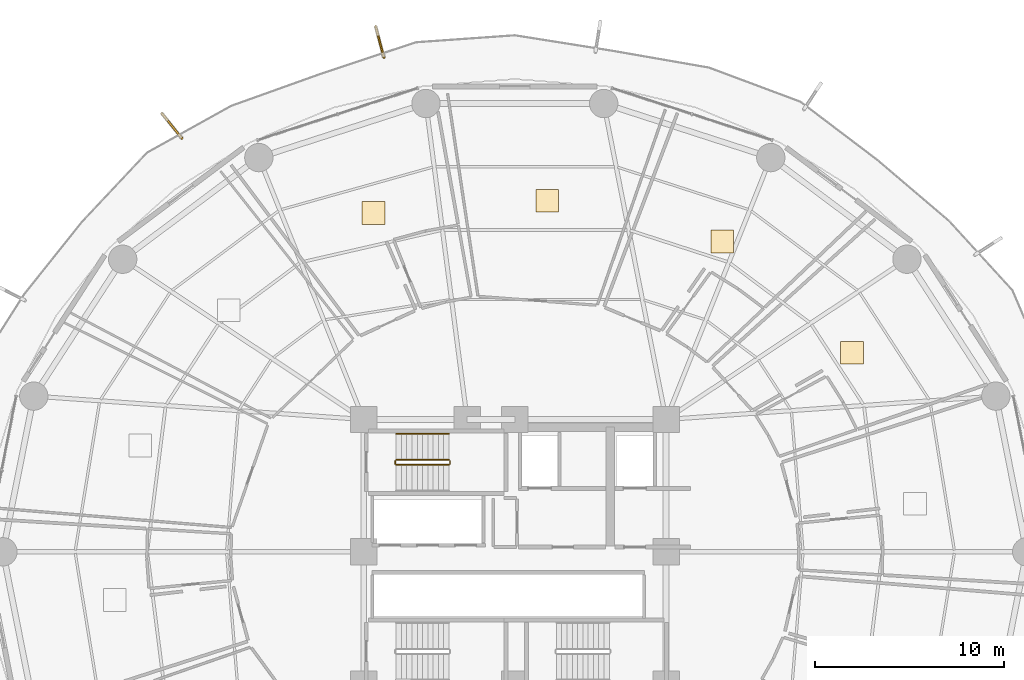
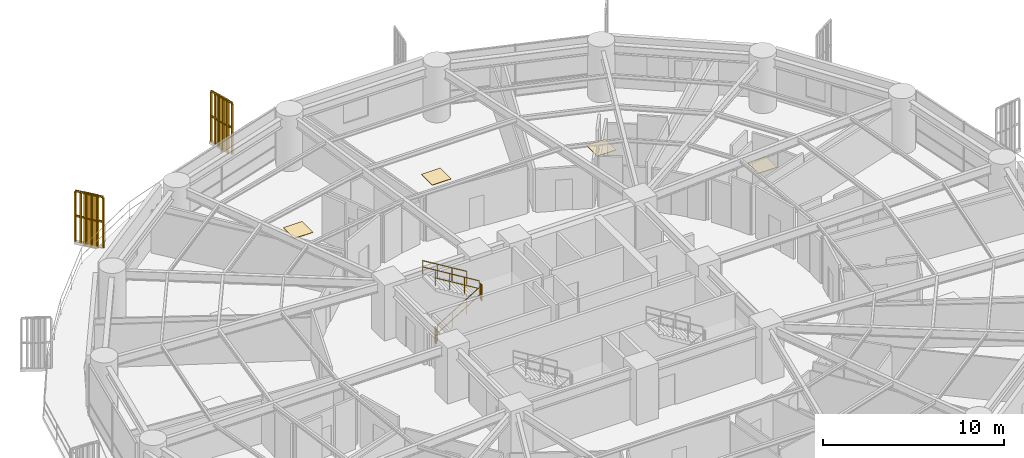
# One storey, part 31 of 32: 7 railings, 4 coverings, 2 shading devices.
"""IFC4 building model written with IfcOpenShell, lengths in metres."""

from ifc_helpers import new_model, si_unit, direction, frame, origin, origin_2d, place, context, subcontext, project, spatial, polyline, rectangle, outline, extrude, source, transform, mapped, material, layer, layer_set, type_object, element, save


model = new_model("IFC4")

# Units and contexts
model_context = context("Model", 3, precision=1e-05, world=origin(), true_north=direction((0.0, 1.0)))
body_context = subcontext(model_context, "Body", "Model", "MODEL_VIEW")
ifc_project = project(units=[si_unit("LENGTHUNIT", "METRE"), si_unit("AREAUNIT", "SQUARE_METRE"), si_unit("VOLUMEUNIT", "CUBIC_METRE"), si_unit("PLANEANGLEUNIT", "RADIAN"), si_unit("MASSUNIT", "GRAM", prefix="KILO")], contexts=[model_context])

# Site, building, storey
site_placement = place(None, origin())
site = spatial("IfcSite", under=ifc_project, at=site_placement, CompositionType="ELEMENT")
building_placement = place(site_placement, origin())
building = spatial("IfcBuilding", under=site, at=building_placement, Name="Kelanora Arch Commons", CompositionType="ELEMENT")
storey_placement = place(building_placement, frame((0.0, 0.0, 60.0)))
storey = spatial("IfcBuildingStorey", under=building, at=storey_placement, Name="L15", CompositionType="ELEMENT", Elevation=60.0)

# Railings
ifc_material_1 = material(Name="Anodised bronze vertical shading fin rib assembly")
railing_type_1 = type_object("IfcRailingType", Name="RAIL-FIN-BRZ", PredefinedType="BALUSTRADE", material=ifc_material_1)
railing_1_placement = place(storey_placement, frame((67.069580078125, 84.16162109375, -0.02001953125)))
element("IfcRailing", 1, at=railing_1_placement, inside=storey, type_object=railing_type_1, Name="Sweeping Bronze Vertical Fin Blade L15-03", PredefinedType="BALUSTRADE", context=body_context, shape_type="SweptSolid", body=[
    extrude(outline(polyline([(0.06982421875, 0.0), (0.034912109375, 0.060546875), (-0.034912109375, 0.060546875), (-0.06982421875, 0.0), (-0.034912109375, -0.060546875), (0.034912109375, -0.060546875), (0.06982421875, 0.0)])), frame((0.0, 0.0, 3.419921875), z_axis=(-0.255945270808, 0.966691273547, 0.0), x_axis=(-0.966691273547, -0.255945270808, 0.0)), (0.0, 0.0, 1.0), 1.655029296875),
    extrude(outline(polyline([(0.06982421875, 0.0), (0.034912109375, 0.060546875), (-0.034912109375, 0.060546875), (-0.06982421875, 0.0), (-0.034912109375, -0.060546875), (0.034912109375, -0.060546875), (0.06982421875, 0.0)])), frame((0.0, 0.0, 1.7451171875), z_axis=(-0.255945270808, 0.966691273547, 0.0), x_axis=(-0.966691273547, -0.255945270808, 0.0)), (0.0, 0.0, 1.0), 1.655029296875),
    extrude(outline(polyline([(0.080078125, 0.0), (0.0400390625, 0.0693359375), (-0.0400390625, 0.0693359375), (-0.080078125, 0.0), (-0.0400390625, -0.0693359375), (0.0400390625, -0.0693359375), (0.080078125, 0.0)])), origin(), (0.0, 0.0, 1.0), 3.35009765625),
    extrude(outline(polyline([(0.080078125, 0.0), (0.0400390625, 0.0693359375), (-0.0400390625, 0.0693359375), (-0.080078125, 0.0), (-0.0400390625, -0.0693359375), (0.0400390625, -0.0693359375), (0.080078125, 0.0)])), frame((-0.084716796875, 0.320068359375, 0.0)), (0.0, 0.0, 1.0), 3.35009765625),
    extrude(outline(polyline([(0.080078125, 0.0), (0.0400390625, 0.0693359375), (-0.0400390625, 0.0693359375), (-0.080078125, 0.0), (-0.0400390625, -0.0693359375), (0.0400390625, -0.0693359375), (0.080078125, 0.0)])), frame((-0.16943359375, 0.639892578125, 0.0)), (0.0, 0.0, 1.0), 3.35009765625),
    extrude(outline(polyline([(0.080078125, 0.0), (0.0400390625, 0.0693359375), (-0.0400390625, 0.0693359375), (-0.080078125, 0.0), (-0.0400390625, -0.0693359375), (0.0400390625, -0.0693359375), (0.080078125, 0.0)])), frame((-0.254150390625, 0.9599609375, 0.0)), (0.0, 0.0, 1.0), 3.35009765625),
    extrude(outline(polyline([(0.080078125, 0.0), (0.0400390625, 0.0693359375), (-0.0400390625, 0.0693359375), (-0.080078125, 0.0), (-0.0400390625, -0.0693359375), (0.0400390625, -0.0693359375), (0.080078125, 0.0)])), frame((-0.3388671875, 1.27978515625, 0.0)), (0.0, 0.0, 1.0), 3.35009765625),
    extrude(outline(polyline([(0.080078125, 0.0), (0.0400390625, 0.0693359375), (-0.0400390625, 0.0693359375), (-0.080078125, 0.0), (-0.0400390625, -0.0693359375), (0.0400390625, -0.0693359375), (0.080078125, 0.0)])), frame((-0.423583984375, 1.599853515625, 0.0)), (0.0, 0.0, 1.0), 3.35009765625),
])
railing_2_placement = place(storey_placement, frame((56.378173828125, 79.88818359375, -0.02001953125)))
element("IfcRailing", 2, at=railing_2_placement, inside=storey, type_object=railing_type_1, Name="Sweeping Bronze Vertical Fin Blade L15-04", PredefinedType="BALUSTRADE", context=body_context, shape_type="SweptSolid", body=[
    extrude(outline(polyline([(0.06982421875, 0.0), (0.034912109375, 0.060546875), (-0.034912109375, 0.060546875), (-0.06982421875, 0.0), (-0.034912109375, -0.060546875), (0.034912109375, -0.060546875), (0.06982421875, 0.0)])), frame((0.0, 0.0, 3.419921875), z_axis=(-0.627120760116, 0.778922045028, 0.0), x_axis=(-0.778922045028, -0.627120760116, 0.0)), (0.0, 0.0, 1.0), 1.655029296875),
    extrude(outline(polyline([(0.06982421875, 0.0), (0.034912109375, 0.060546875), (-0.034912109375, 0.060546875), (-0.06982421875, 0.0), (-0.034912109375, -0.060546875), (0.034912109375, -0.060546875), (0.06982421875, 0.0)])), frame((0.0, 0.0, 1.7451171875), z_axis=(-0.627120760116, 0.778922045028, 0.0), x_axis=(-0.778922045028, -0.627120760116, 0.0)), (0.0, 0.0, 1.0), 1.655029296875),
    extrude(outline(polyline([(0.080078125, 0.0), (0.0400390625, 0.0693359375), (-0.0400390625, 0.0693359375), (-0.080078125, 0.0), (-0.0400390625, -0.0693359375), (0.0400390625, -0.0693359375), (0.080078125, 0.0)])), origin(), (0.0, 0.0, 1.0), 3.35009765625),
    extrude(outline(polyline([(0.080078125, 0.0), (0.0400390625, 0.0693359375), (-0.0400390625, 0.0693359375), (-0.080078125, 0.0), (-0.0400390625, -0.0693359375), (0.0400390625, -0.0693359375), (0.080078125, 0.0)])), frame((-0.20751953125, 0.2578125, 0.0)), (0.0, 0.0, 1.0), 3.35009765625),
    extrude(outline(polyline([(0.080078125, 0.0), (0.0400390625, 0.0693359375), (-0.0400390625, 0.0693359375), (-0.080078125, 0.0), (-0.0400390625, -0.0693359375), (0.0400390625, -0.0693359375), (0.080078125, 0.0)])), frame((-0.4150390625, 0.515625, 0.0)), (0.0, 0.0, 1.0), 3.35009765625),
    extrude(outline(polyline([(0.080078125, 0.0), (0.0400390625, 0.0693359375), (-0.0400390625, 0.0693359375), (-0.080078125, 0.0), (-0.0400390625, -0.0693359375), (0.0400390625, -0.0693359375), (0.080078125, 0.0)])), frame((-0.622802734375, 0.7734375, 0.0)), (0.0, 0.0, 1.0), 3.35009765625),
    extrude(outline(polyline([(0.080078125, 0.0), (0.0400390625, 0.0693359375), (-0.0400390625, 0.0693359375), (-0.080078125, 0.0), (-0.0400390625, -0.0693359375), (0.0400390625, -0.0693359375), (0.080078125, 0.0)])), frame((-0.830322265625, 1.03125, 0.0)), (0.0, 0.0, 1.0), 3.35009765625),
    extrude(outline(polyline([(0.080078125, 0.0), (0.0400390625, 0.0693359375), (-0.0400390625, 0.0693359375), (-0.080078125, 0.0), (-0.0400390625, -0.0693359375), (0.0400390625, -0.0693359375), (0.080078125, 0.0)])), frame((-1.037841796875, 1.2890625, 0.0)), (0.0, 0.0, 1.0), 3.35009765625),
])
ifc_material_2 = material(Name="Painted steel stair well guard", Category="steel")
railing_type_2 = type_object("IfcRailingType", Name="RAIL-STAIR-GRD", PredefinedType="GUARDRAIL", material=ifc_material_2)
railing_3_placement = place(storey_placement, frame((67.719970703125, 62.610107421875, 0.17041015625)))
element("IfcRailing", 3, at=railing_3_placement, inside=storey, type_object=railing_type_2, Name="L15 ST-T1 stair guard 1", PredefinedType="GUARDRAIL", context=body_context, shape_type="SweptSolid", body=[
    extrude(outline(polyline([(0.02392578125, 0.0), (0.011962890625, 0.020751953125), (-0.011962890625, 0.020751953125), (-0.02392578125, 0.0), (-0.011962890625, -0.020751953125), (0.011962890625, -0.020751953125), (0.02392578125, 0.0)])), frame((0.0, 0.0, 1.076171875), z_axis=(0.854169791009, 0.0, 0.51999420009), x_axis=(0.0, 1.0, 0.0)), (0.0, 0.0, 1.0), 3.278076171875),
    extrude(outline(polyline([(0.02392578125, 0.0), (0.011962890625, 0.020751953125), (-0.011962890625, 0.020751953125), (-0.02392578125, 0.0), (-0.011962890625, -0.020751953125), (0.011962890625, -0.020751953125), (0.02392578125, 0.0)])), frame((0.0, 0.0, 0.550048828125), z_axis=(0.854169791009, 0.0, 0.51999420009), x_axis=(0.0, 1.0, 0.0)), (0.0, 0.0, 1.0), 3.278076171875),
    extrude(outline(polyline([(0.02099609375, 0.0), (0.010498046875, 0.01806640625), (-0.010498046875, 0.01806640625), (-0.02099609375, 0.0), (-0.010498046875, -0.01806640625), (0.010498046875, -0.01806640625), (0.02099609375, 0.0)])), origin(), (0.0, 0.0, 1.0), 1.052001953125),
    extrude(outline(polyline([(0.02099609375, 0.0), (0.010498046875, 0.01806640625), (-0.010498046875, 0.01806640625), (-0.02099609375, 0.0), (-0.010498046875, -0.01806640625), (0.010498046875, -0.01806640625), (0.02099609375, 0.0)])), frame((0.933349609375, 0.0, 0.568115234375)), (0.0, 0.0, 1.0), 1.052001953125),
    extrude(outline(polyline([(0.02099609375, 0.0), (0.010498046875, 0.01806640625), (-0.010498046875, 0.01806640625), (-0.02099609375, 0.0), (-0.010498046875, -0.01806640625), (0.010498046875, -0.01806640625), (0.02099609375, 0.0)])), frame((1.86669921875, 0.0, 1.136474609375)), (0.0, 0.0, 1.0), 1.052001953125),
    extrude(outline(polyline([(0.02099609375, 0.0), (0.010498046875, 0.01806640625), (-0.010498046875, 0.01806640625), (-0.02099609375, 0.0), (-0.010498046875, -0.01806640625), (0.010498046875, -0.01806640625), (0.02099609375, 0.0)])), frame((2.800048828125, 0.0, 1.70458984375)), (0.0, 0.0, 1.0), 1.052001953125),
])
railing_4_placement = place(storey_placement, frame((70.570068359375, 62.659912109375, 1.875)))
element("IfcRailing", 4, at=railing_4_placement, inside=storey, type_object=railing_type_2, Name="L15 ST-T1 stair guard 2", PredefinedType="GUARDRAIL", context=body_context, shape_type="SweptSolid", body=[
    extrude(outline(polyline([(0.02392578125, 0.0), (0.011962890625, 0.020751953125), (-0.011962890625, 0.020751953125), (-0.02392578125, 0.0), (-0.011962890625, -0.020751953125), (0.011962890625, -0.020751953125), (0.02392578125, 0.0)])), frame((0.0, 0.0, 1.076171875), z_axis=(0.0, 1.0, 0.0), x_axis=(-1.0, 0.0, 0.0)), (0.0, 0.0, 1.0), 0.150146484375),
    extrude(outline(polyline([(0.02392578125, 0.0), (0.011962890625, 0.020751953125), (-0.011962890625, 0.020751953125), (-0.02392578125, 0.0), (-0.011962890625, -0.020751953125), (0.011962890625, -0.020751953125), (0.02392578125, 0.0)])), frame((0.0, 0.0, 0.550048828125), z_axis=(0.0, 1.0, 0.0), x_axis=(-1.0, 0.0, 0.0)), (0.0, 0.0, 1.0), 0.150146484375),
    extrude(outline(polyline([(0.02099609375, 0.0), (0.010498046875, 0.01806640625), (-0.010498046875, 0.01806640625), (-0.02099609375, 0.0), (-0.010498046875, -0.01806640625), (0.010498046875, -0.01806640625), (0.02099609375, 0.0)])), origin(), (0.0, 0.0, 1.0), 1.052001953125),
    extrude(outline(polyline([(0.02099609375, 0.0), (0.010498046875, 0.01806640625), (-0.010498046875, 0.01806640625), (-0.02099609375, 0.0), (-0.010498046875, -0.01806640625), (0.010498046875, -0.01806640625), (0.02099609375, 0.0)])), frame((0.0, 0.150146484375, 0.0)), (0.0, 0.0, 1.0), 1.052001953125),
])
railing_5_placement = place(storey_placement, frame((70.52001953125, 62.860107421875, 2.04541015625)))
element("IfcRailing", 5, at=railing_5_placement, inside=storey, type_object=railing_type_2, Name="L15 ST-T1 stair guard 3", PredefinedType="GUARDRAIL", context=body_context, shape_type="SweptSolid", body=[
    extrude(outline(polyline([(0.02392578125, 0.0), (0.011962890625, 0.020751953125), (-0.011962890625, 0.020751953125), (-0.02392578125, 0.0), (-0.011962890625, -0.020751953125), (0.011962890625, -0.020751953125), (0.02392578125, 0.0)])), frame((0.0, 0.0, 1.076171875), z_axis=(-0.854169791009, 0.0, 0.51999420009), x_axis=(0.0, -1.0, 0.0)), (0.0, 0.0, 1.0), 3.278076171875),
    extrude(outline(polyline([(0.02392578125, 0.0), (0.011962890625, 0.020751953125), (-0.011962890625, 0.020751953125), (-0.02392578125, 0.0), (-0.011962890625, -0.020751953125), (0.011962890625, -0.020751953125), (0.02392578125, 0.0)])), frame((0.0, 0.0, 0.550048828125), z_axis=(-0.854169791009, 0.0, 0.51999420009), x_axis=(0.0, -1.0, 0.0)), (0.0, 0.0, 1.0), 3.278076171875),
    extrude(outline(polyline([(0.02099609375, 0.0), (0.010498046875, 0.01806640625), (-0.010498046875, 0.01806640625), (-0.02099609375, 0.0), (-0.010498046875, -0.01806640625), (0.010498046875, -0.01806640625), (0.02099609375, 0.0)])), origin(), (0.0, 0.0, 1.0), 1.052001953125),
    extrude(outline(polyline([(0.02099609375, 0.0), (0.010498046875, 0.01806640625), (-0.010498046875, 0.01806640625), (-0.02099609375, 0.0), (-0.010498046875, -0.01806640625), (0.010498046875, -0.01806640625), (0.02099609375, 0.0)])), frame((-0.933349609375, 0.0, 0.568115234375)), (0.0, 0.0, 1.0), 1.052001953125),
    extrude(outline(polyline([(0.02099609375, 0.0), (0.010498046875, 0.01806640625), (-0.010498046875, 0.01806640625), (-0.02099609375, 0.0), (-0.010498046875, -0.01806640625), (0.010498046875, -0.01806640625), (0.02099609375, 0.0)])), frame((-1.86669921875, 0.0, 1.136474609375)), (0.0, 0.0, 1.0), 1.052001953125),
    extrude(outline(polyline([(0.02099609375, 0.0), (0.010498046875, 0.01806640625), (-0.010498046875, 0.01806640625), (-0.02099609375, 0.0), (-0.010498046875, -0.01806640625), (0.010498046875, -0.01806640625), (0.02099609375, 0.0)])), frame((-2.800048828125, 0.0, 1.70458984375)), (0.0, 0.0, 1.0), 1.052001953125),
])
railing_6_placement = place(storey_placement, frame((67.669921875, 62.659912109375, 0.0)))
element("IfcRailing", 6, at=railing_6_placement, inside=storey, type_object=railing_type_2, Name="L15 ST-T1 stair guard 4", PredefinedType="GUARDRAIL", context=body_context, shape_type="SweptSolid", body=[
    extrude(outline(polyline([(0.02392578125, 0.0), (0.011962890625, 0.020751953125), (-0.011962890625, 0.020751953125), (-0.02392578125, 0.0), (-0.011962890625, -0.020751953125), (0.011962890625, -0.020751953125), (0.02392578125, 0.0)])), frame((0.0, 0.0, 1.076171875), z_axis=(0.0, 1.0, 0.0), x_axis=(-1.0, 0.0, 0.0)), (0.0, 0.0, 1.0), 0.150146484375),
    extrude(outline(polyline([(0.02392578125, 0.0), (0.011962890625, 0.020751953125), (-0.011962890625, 0.020751953125), (-0.02392578125, 0.0), (-0.011962890625, -0.020751953125), (0.011962890625, -0.020751953125), (0.02392578125, 0.0)])), frame((0.0, 0.0, 0.550048828125), z_axis=(0.0, 1.0, 0.0), x_axis=(-1.0, 0.0, 0.0)), (0.0, 0.0, 1.0), 0.150146484375),
    extrude(outline(polyline([(0.02099609375, 0.0), (0.010498046875, 0.01806640625), (-0.010498046875, 0.01806640625), (-0.02099609375, 0.0), (-0.010498046875, -0.01806640625), (0.010498046875, -0.01806640625), (0.02099609375, 0.0)])), origin(), (0.0, 0.0, 1.0), 1.052001953125),
    extrude(outline(polyline([(0.02099609375, 0.0), (0.010498046875, 0.01806640625), (-0.010498046875, 0.01806640625), (-0.02099609375, 0.0), (-0.010498046875, -0.01806640625), (0.010498046875, -0.01806640625), (0.02099609375, 0.0)])), frame((0.0, 0.150146484375, 0.0)), (0.0, 0.0, 1.0), 1.052001953125),
])
ifc_material_3 = material(Name="Brushed stainless steel stair handrail", Category="steel")
railing_type_3 = type_object("IfcRailingType", Name="RAIL-STAIR-HND", PredefinedType="HANDRAIL", material=ifc_material_3)
railing_7_placement = place(storey_placement, frame((70.52001953125, 64.239990234375, 2.04541015625)))
element("IfcRailing", 7, at=railing_7_placement, inside=storey, type_object=railing_type_3, Name="L15 ST-T1 stair handrail 2", PredefinedType="HANDRAIL", context=body_context, shape_type="SweptSolid", body=[
    extrude(outline(polyline([(0.02392578125, 0.0), (0.011962890625, 0.020751953125), (-0.011962890625, 0.020751953125), (-0.02392578125, 0.0), (-0.011962890625, -0.020751953125), (0.011962890625, -0.020751953125), (0.02392578125, 0.0)])), frame((0.0, 0.0, 0.8759765625), z_axis=(-0.854169791009, 0.0, 0.51999420009), x_axis=(0.0, -1.0, 0.0)), (0.0, 0.0, 1.0), 3.278076171875),
    extrude(outline(polyline([(0.02392578125, 0.0), (0.011962890625, 0.020751953125), (-0.011962890625, 0.020751953125), (-0.02392578125, 0.0), (-0.011962890625, -0.020751953125), (0.011962890625, -0.020751953125), (0.02392578125, 0.0)])), frame((0.0, 0.0, 0.449951171875), z_axis=(-0.854169791009, 0.0, 0.51999420009), x_axis=(0.0, -1.0, 0.0)), (0.0, 0.0, 1.0), 3.278076171875),
    extrude(outline(polyline([(0.02099609375, 0.0), (0.010498046875, 0.01806640625), (-0.010498046875, 0.01806640625), (-0.02099609375, 0.0), (-0.010498046875, -0.01806640625), (0.010498046875, -0.01806640625), (0.02099609375, 0.0)])), origin(), (0.0, 0.0, 1.0), 0.851806640625),
    extrude(outline(polyline([(0.02099609375, 0.0), (0.010498046875, 0.01806640625), (-0.010498046875, 0.01806640625), (-0.02099609375, 0.0), (-0.010498046875, -0.01806640625), (0.010498046875, -0.01806640625), (0.02099609375, 0.0)])), frame((-0.933349609375, 0.0, 0.568115234375)), (0.0, 0.0, 1.0), 0.851806640625),
    extrude(outline(polyline([(0.02099609375, 0.0), (0.010498046875, 0.01806640625), (-0.010498046875, 0.01806640625), (-0.02099609375, 0.0), (-0.010498046875, -0.01806640625), (0.010498046875, -0.01806640625), (0.02099609375, 0.0)])), frame((-1.86669921875, 0.0, 1.136474609375)), (0.0, 0.0, 1.0), 0.851806640625),
    extrude(outline(polyline([(0.02099609375, 0.0), (0.010498046875, 0.01806640625), (-0.010498046875, 0.01806640625), (-0.02099609375, 0.0), (-0.010498046875, -0.01806640625), (0.010498046875, -0.01806640625), (0.02099609375, 0.0)])), frame((-2.800048828125, 0.0, 1.70458984375)), (0.0, 0.0, 1.0), 0.851806640625),
])

# Shading devices
ifc_material_4 = material(Name="Terracotta ceramic-clad extruded aluminium fin", Category="masonry")
shading_device_type = type_object("IfcShadingDeviceType", Name="SHD-FIN-FLARE", PredefinedType="USERDEFINED", material=ifc_material_4)
shared_shape_1 = source(origin(), body_context, "Body", "SweptSolid", [
    extrude(rectangle(XDim=0.8798828125, YDim=0.090087890625, at=origin_2d()), origin(), (0.0, 0.0, 1.0), 3.610107421875),
])
for number, where, z_axis, x_axis, name in (
    (8, (66.885498046875, 84.857421875, -0.14013671875), (0.0, 0.0, 1.0), (-0.256120665687, 0.966644818229, 0.0), "Sweeping Terracotta Fin L15-03"),
    (9, (55.926513671875, 80.448974609375, -0.14013671875), (0.0, 0.0, 1.0), (-0.62714773916, 0.778900323063, 0.0), "Sweeping Terracotta Fin L15-04"),
):
    element("IfcShadingDevice", number, at=place(storey_placement, frame(where, z_axis=z_axis, x_axis=x_axis)), inside=storey, type_object=shading_device_type, Name=name, ObjectType="FIN", PredefinedType="USERDEFINED", context=body_context, shape_type="MappedRepresentation", body=[
        mapped(shared_shape_1, transform((0.0, 0.0, 0.0), scale=1.0)),
    ])

# Coverings
ifc_material_5 = material(Name="Polished local granite terrazzo flooring", Category="masonry")
ifc_layer = layer(ifc_material_5, 0.030029296875)
ifc_layer_set = layer_set([ifc_layer], Name="Polished local granite terrazzo flooring")
covering_type = type_object("IfcCoveringType", Name="COV-FLR-TER", PredefinedType="FLOORING", material=ifc_layer_set)
shared_shape_2 = source(origin(), body_context, "Body", "SweptSolid", [
    extrude(rectangle(XDim=1.199951171875, YDim=1.199951171875, at=origin_2d()), origin(), (0.0, 0.0, 1.0), 0.030029296875),
])
for number, where, z_axis, x_axis, name in (
    (10, (91.841796875, 68.52587890625, 0.0), (0.0, 0.0, 1.0), (1.0, 0.0, 0.0), "Co-Living Studio L15-01 Terrazzo Finish"),
    (11, (84.979248046875, 74.41943359375, 0.0), (0.0, 0.0, 1.0), (1.0, 0.0, 0.0), "Co-Living Studio L15-02 Terrazzo Finish"),
    (12, (75.70751953125, 76.564453125, 0.0), (0.0, 0.0, 1.0), (1.0, 0.0, 0.0), "Communal Dining and Social Hall L15-03 Terrazzo Finish"),
    (13, (66.5205078125, 75.927001953125, 0.0), (0.0, 0.0, 1.0), (1.0, 0.0, 0.0), "Co-Living Studio L15-04 Terrazzo Finish"),
):
    element("IfcCovering", number, at=place(storey_placement, frame(where, z_axis=z_axis, x_axis=x_axis)), inside=storey, type_object=covering_type, Name=name, PredefinedType="FLOORING", context=body_context, shape_type="MappedRepresentation", body=[
        mapped(shared_shape_2, transform((0.0, 0.0, 0.0), scale=1.0)),
    ])

save(model, "model.ifc")
